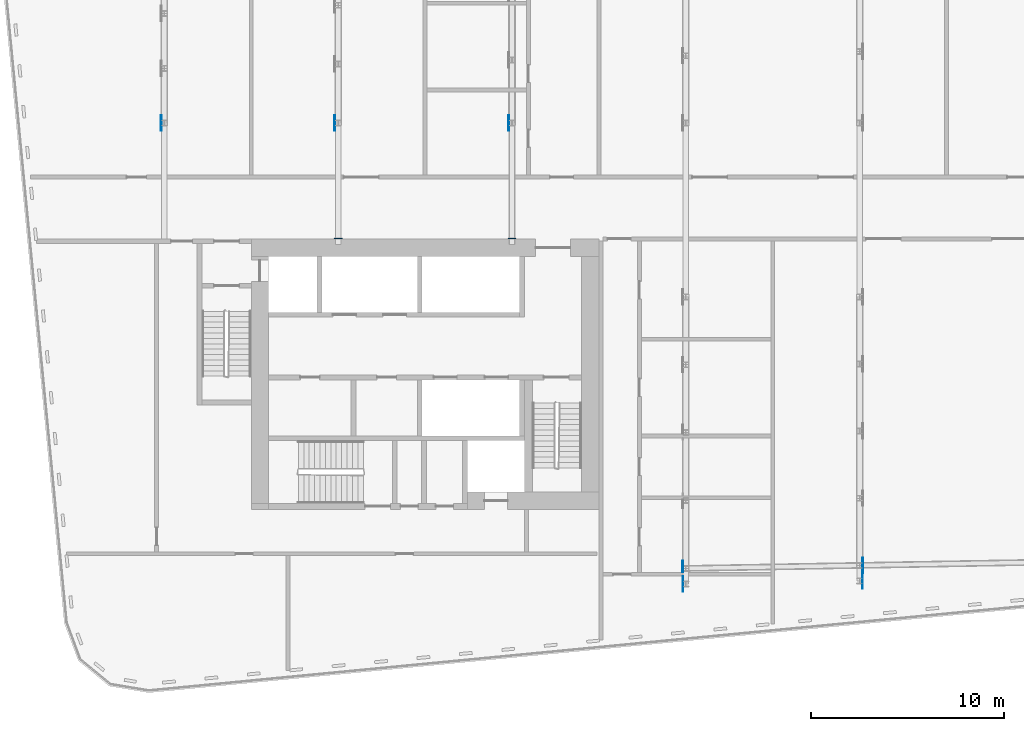
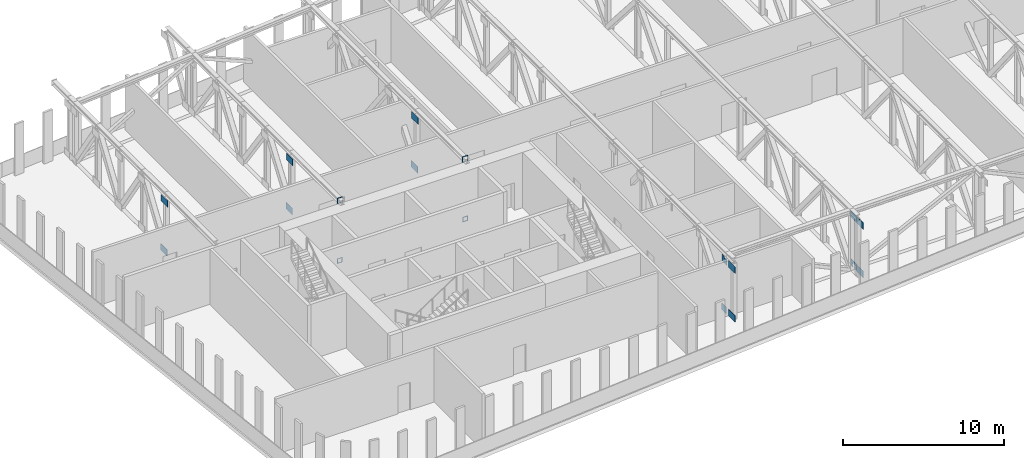
# One storey, part 12 of 26: 18 discrete accessories.
"""IFC4 building model written with IfcOpenShell, lengths in metres."""

from ifc_helpers import new_model, si_unit, direction, frame, origin, place, context, subcontext, project, spatial, polyline, outline, extrude, material, layer, layer_set, type_object, element, save


model = new_model("IFC4")

# Units and contexts
model_context = context("Model", 3, precision=1e-05, world=origin(), true_north=direction((0.0, 1.0)))
body_context = subcontext(model_context, "Body", "Model", "MODEL_VIEW")
ifc_project = project(units=[si_unit("LENGTHUNIT", "METRE"), si_unit("AREAUNIT", "SQUARE_METRE"), si_unit("VOLUMEUNIT", "CUBIC_METRE"), si_unit("PLANEANGLEUNIT", "RADIAN"), si_unit("MASSUNIT", "GRAM", prefix="KILO")], contexts=[model_context])

# Site, building, storey
site_placement = place(None, origin())
site = spatial("IfcSite", under=ifc_project, at=site_placement, CompositionType="ELEMENT")
building_placement = place(site_placement, origin())
building = spatial("IfcBuilding", under=site, at=building_placement, Name="Kajstack Hotel Tower", CompositionType="ELEMENT")
storey_placement = place(building_placement, frame((0.0, 0.0, 206.5)))
storey = spatial("IfcBuildingStorey", under=building, at=storey_placement, Name="L50", CompositionType="ELEMENT", Elevation=206.5)

# Discrete accessories
ifc_material = material(Name="Steel S355J2", Category="steel")
ifc_layer_1 = layer(ifc_material, 0.02490234375)
ifc_layer_set_1 = layer_set([ifc_layer_1], Name="CAST-IN PLATE")
discrete_accessory_type_1 = type_object("IfcDiscreteAccessoryType", Name="CAST-IN PLATE", PredefinedType="BRACKET", material=ifc_layer_set_1)
discrete_accessory_1_placement = place(storey_placement, frame((-18.0, -1.5, -0.139892578125), z_axis=(0.0, 1.0, 0.0), x_axis=(-1.0, 0.0, 0.0)))
element("IfcDiscreteAccessory", 1, at=discrete_accessory_1_placement, inside=storey, type_object=discrete_accessory_type_1, Name="Cast-in plate L50-021", PredefinedType="BRACKET", context=body_context, shape_type="SweptSolid", body=[
    extrude(outline(polyline([(-0.18994140625, -0.18994140625), (0.18994140625, -0.18994140625), (0.18994140625, 0.18994140625), (-0.18994140625, 0.18994140625), (-0.18994140625, -0.18994140625)]), holes=[polyline([(-0.139892578125, -0.139892578125), (-0.139892578125, 0.139892578125), (0.139892578125, 0.139892578125), (0.139892578125, -0.139892578125), (-0.139892578125, -0.139892578125)])]), origin(), (0.0, 0.0, 1.0), 0.02490234375),
])
discrete_accessory_2_placement = place(storey_placement, frame((-18.0, -1.5, 4.429931640625), z_axis=(0.0, 1.0, 0.0), x_axis=(-1.0, 0.0, 0.0)))
element("IfcDiscreteAccessory", 2, at=discrete_accessory_2_placement, inside=storey, type_object=discrete_accessory_type_1, Name="Cast-in plate L50-022", PredefinedType="BRACKET", context=body_context, shape_type="SweptSolid", body=[
    extrude(outline(polyline([(-0.199951171875, -0.219970703125), (0.199951171875, -0.219970703125), (0.199951171875, 0.219970703125), (-0.199951171875, 0.219970703125), (-0.199951171875, -0.219970703125)]), holes=[polyline([(-0.14990234375, -0.169921875), (-0.14990234375, 0.169921875), (0.14990234375, 0.169921875), (0.14990234375, -0.169921875), (-0.14990234375, -0.169921875)])]), origin(), (0.0, 0.0, 1.0), 0.02490234375),
])
discrete_accessory_3_placement = place(storey_placement, frame((-27.0, -1.5, -0.139892578125), z_axis=(0.0, 1.0, 0.0), x_axis=(-1.0, 0.0, 0.0)))
element("IfcDiscreteAccessory", 3, at=discrete_accessory_3_placement, inside=storey, type_object=discrete_accessory_type_1, Name="Cast-in plate L50-023", PredefinedType="BRACKET", context=body_context, shape_type="SweptSolid", body=[
    extrude(outline(polyline([(-0.18994140625, -0.18994140625), (0.18994140625, -0.18994140625), (0.18994140625, 0.18994140625), (-0.18994140625, 0.18994140625), (-0.18994140625, -0.18994140625)]), holes=[polyline([(-0.139892578125, -0.139892578125), (-0.139892578125, 0.139892578125), (0.139892578125, 0.139892578125), (0.139892578125, -0.139892578125), (-0.139892578125, -0.139892578125)])]), origin(), (0.0, 0.0, 1.0), 0.02490234375),
])
discrete_accessory_4_placement = place(storey_placement, frame((-27.0, -1.5, 4.429931640625), z_axis=(0.0, 1.0, 0.0), x_axis=(-1.0, 0.0, 0.0)))
element("IfcDiscreteAccessory", 4, at=discrete_accessory_4_placement, inside=storey, type_object=discrete_accessory_type_1, Name="Cast-in plate L50-024", PredefinedType="BRACKET", context=body_context, shape_type="SweptSolid", body=[
    extrude(outline(polyline([(-0.199951171875, -0.219970703125), (0.199951171875, -0.219970703125), (0.199951171875, 0.219970703125), (-0.199951171875, 0.219970703125), (-0.199951171875, -0.219970703125)]), holes=[polyline([(-0.14990234375, -0.169921875), (-0.14990234375, 0.169921875), (0.14990234375, 0.169921875), (0.14990234375, -0.169921875), (-0.14990234375, -0.169921875)])]), origin(), (0.0, 0.0, 1.0), 0.02490234375),
])
ifc_layer_2 = layer(ifc_material, 0.02001953125)
ifc_layer_set_2 = layer_set([ifc_layer_2], Name="GUSSET PLATE")
discrete_accessory_type_2 = type_object("IfcDiscreteAccessoryType", Name="GUSSET PLATE", PredefinedType="BRACKET", material=ifc_layer_set_2)
for number, where, z_axis, x_axis, name in (
    (5, (-36.195068359375, 4.5, 0.0), (1.0, 0.0, 0.0), (0.0, 1.0, 0.0), "Gusset plate L50-460"),
    (6, (-36.159912109375, 4.5, 3.699951171875), (1.0, 0.0, 0.0), (0.0, 1.0, 0.0), "Gusset plate L50-461"),
    (7, (-27.195068359375, 4.5, 0.0), (1.0, 0.0, 0.0), (0.0, 1.0, 0.0), "Gusset plate L50-472"),
    (8, (-27.159912109375, 4.5, 3.699951171875), (1.0, 0.0, 0.0), (0.0, 1.0, 0.0), "Gusset plate L50-473"),
    (9, (-18.195068359375, 4.5, 0.0), (1.0, 0.0, 0.0), (0.0, 1.0, 0.0), "Gusset plate L50-485"),
    (10, (-18.159912109375, 4.5, 3.699951171875), (1.0, 0.0, 0.0), (0.0, 1.0, 0.0), "Gusset plate L50-486"),
):
    element("IfcDiscreteAccessory", number, at=place(storey_placement, frame(where, z_axis=z_axis, x_axis=x_axis)), inside=storey, type_object=discrete_accessory_type_2, Name=name, PredefinedType="BRACKET", context=body_context, shape_type="SweptSolid", body=[
        extrude(outline(polyline([(-0.39990234375, 0.0), (0.39990234375, 0.0), (0.39990234375, 0.5), (-0.39990234375, 0.5), (-0.39990234375, 0.0)])), origin(), (0.0, 0.0, 1.0), 0.02001953125),
    ])
for number, where, z_axis, x_axis, name in (
    (11, (-9.159912109375, -19.362548828125, 0.0), (1.0, 0.0, 0.0), (0.0, 1.0, 0.0), "Gusset plate L50-497"),
    (12, (-9.159912109375, -19.362548828125, 3.699951171875), (1.0, 0.0, 0.0), (0.0, 1.0, 0.0), "Gusset plate L50-498"),
):
    element("IfcDiscreteAccessory", number, at=place(storey_placement, frame(where, z_axis=z_axis, x_axis=x_axis)), inside=storey, type_object=discrete_accessory_type_2, Name=name, PredefinedType="BRACKET", context=body_context, shape_type="SweptSolid", body=[
        extrude(outline(polyline([(-0.39990234375, 0.0), (0.39501953125, 0.0), (0.39501953125, 0.5), (-0.39990234375, 0.5), (-0.39990234375, 0.0)])), origin(), (0.0, 0.0, 1.0), 0.02001953125),
    ])
discrete_accessory_5_placement = place(storey_placement, frame((-9.195068359375, -18.5625, 0.0), z_axis=(1.0, 0.0, 0.0), x_axis=(0.0, 1.0, 0.0)))
element("IfcDiscreteAccessory", 13, at=discrete_accessory_5_placement, inside=storey, type_object=discrete_accessory_type_2, Name="Gusset plate L50-499", PredefinedType="BRACKET", context=body_context, shape_type="SweptSolid", body=[
    extrude(outline(polyline([(0.39990234375, 0.5), (-0.19482421875, 0.5), (-0.19482421875, 0.0), (0.39990234375, 0.0), (0.39990234375, 0.5)])), origin(), (0.0, 0.0, 1.0), 0.02001953125),
])
discrete_accessory_6_placement = place(storey_placement, frame((-9.159912109375, -18.5625, 3.699951171875), z_axis=(1.0, 0.0, 0.0), x_axis=(0.0, 1.0, 0.0)))
element("IfcDiscreteAccessory", 14, at=discrete_accessory_6_placement, inside=storey, type_object=discrete_accessory_type_2, Name="Gusset plate L50-500", PredefinedType="BRACKET", context=body_context, shape_type="SweptSolid", body=[
    extrude(outline(polyline([(0.39990234375, 0.5), (0.18359375, 0.5), (0.176025390625, 0.472412109375), (0.159912109375, 0.439453125), (0.1494140625, 0.42431640625), (0.12451171875, 0.397705078125), (0.094970703125, 0.376220703125), (0.0615234375, 0.36083984375), (0.02587890625, 0.3525390625), (0.0078125, 0.350830078125), (-0.02880859375, 0.35302734375), (-0.064208984375, 0.362548828125), (-0.0810546875, 0.36962890625), (-0.1123046875, 0.388916015625), (-0.13916015625, 0.413818359375), (-0.16064453125, 0.443359375), (-0.17578125, 0.476806640625), (-0.181884765625, 0.5), (-0.19482421875, 0.5), (-0.19482421875, 0.0), (0.39990234375, 0.0), (0.39990234375, 0.5)])), origin(), (0.0, 0.0, 1.0), 0.02001953125),
])
for number, where, z_axis, x_axis, name in (
    (15, (0.139892578125, -19.205322265625, 0.0), (1.0, 0.0, 0.0), (0.0, 1.0, 0.0), "Gusset plate L50-526"),
    (16, (0.139892578125, -19.205322265625, 3.699951171875), (1.0, 0.0, 0.0), (0.0, 1.0, 0.0), "Gusset plate L50-527"),
):
    element("IfcDiscreteAccessory", number, at=place(storey_placement, frame(where, z_axis=z_axis, x_axis=x_axis)), inside=storey, type_object=discrete_accessory_type_2, Name=name, PredefinedType="BRACKET", context=body_context, shape_type="SweptSolid", body=[
        extrude(outline(polyline([(-0.39990234375, 0.0), (0.39990234375, 0.0), (0.39990234375, 0.5), (-0.39990234375, 0.5), (-0.39990234375, 0.0)])), origin(), (0.0, 0.0, 1.0), 0.02001953125),
    ])
discrete_accessory_7_placement = place(storey_placement, frame((0.175048828125, -18.405517578125, 0.0), z_axis=(1.0, 0.0, 0.0), x_axis=(0.0, 1.0, 0.0)))
element("IfcDiscreteAccessory", 17, at=discrete_accessory_7_placement, inside=storey, type_object=discrete_accessory_type_2, Name="Gusset plate L50-528", PredefinedType="BRACKET", context=body_context, shape_type="SweptSolid", body=[
    extrude(outline(polyline([(-0.39990234375, 0.0), (-0.186767578125, 0.0), (-0.178466796875, 0.206298828125), (-0.169921875, 0.241943359375), (-0.15478515625, 0.275146484375), (-0.13330078125, 0.3046875), (-0.120361328125, 0.31787109375), (-0.09130859375, 0.340087890625), (-0.0751953125, 0.348876953125), (-0.041015625, 0.361572265625), (-0.02294921875, 0.365478515625), (0.013671875, 0.36767578125), (0.03173828125, 0.3662109375), (0.0673828125, 0.357666015625), (0.08447265625, 0.350830078125), (0.1162109375, 0.33251953125), (0.13037109375, 0.321044921875), (0.1552734375, 0.294189453125), (0.174560546875, 0.262939453125), (0.187255859375, 0.228759765625), (0.193115234375, 0.1923828125), (0.18701171875, 0.0), (0.39990234375, 0.0), (0.39990234375, 0.5), (-0.39990234375, 0.5), (-0.39990234375, 0.0)])), origin(), (0.0, 0.0, 1.0), 0.02001953125),
])
discrete_accessory_8_placement = place(storey_placement, frame((0.139892578125, -18.405517578125, 3.699951171875), z_axis=(1.0, 0.0, 0.0), x_axis=(0.0, 1.0, 0.0)))
element("IfcDiscreteAccessory", 18, at=discrete_accessory_8_placement, inside=storey, type_object=discrete_accessory_type_2, Name="Gusset plate L50-529", PredefinedType="BRACKET", context=body_context, shape_type="SweptSolid", body=[
    extrude(outline(polyline([(-0.39990234375, 0.0), (0.39990234375, 0.0), (0.39990234375, 0.5), (-0.39990234375, 0.5), (-0.39990234375, 0.0)])), origin(), (0.0, 0.0, 1.0), 0.02001953125),
])

save(model, "model.ifc")
